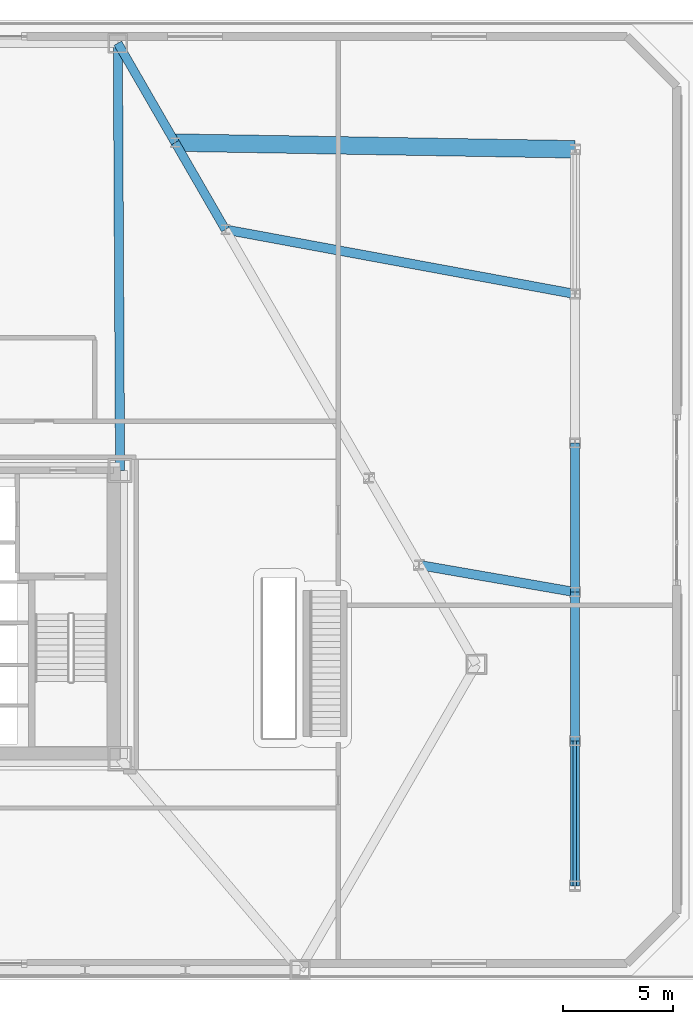
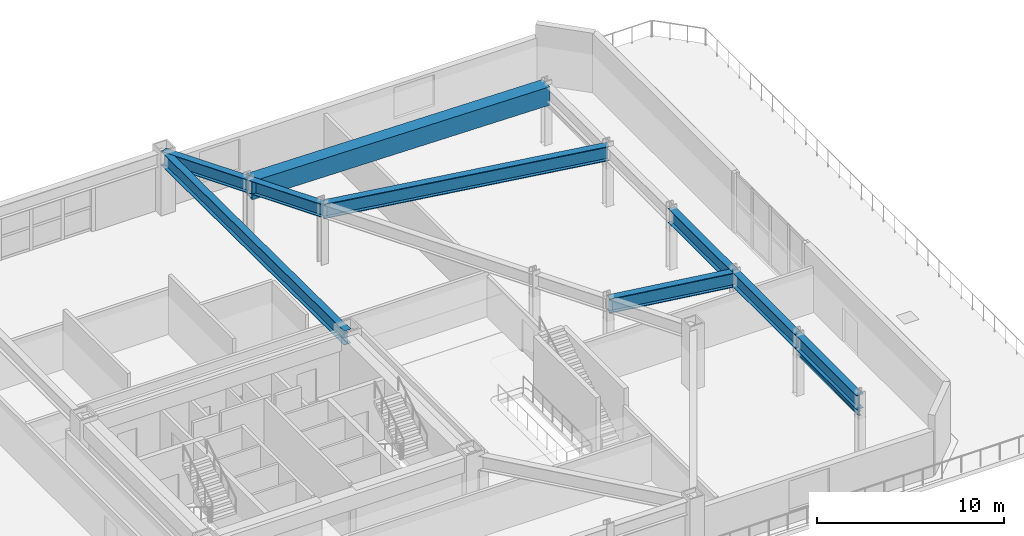
# One storey, part 5 of 16: 10 beams.
"""IFC4 building model written with IfcOpenShell, lengths in metres."""

from ifc_helpers import new_model, si_unit, direction, frame, origin, origin_2d, place, context, subcontext, project, spatial, hollow_rectangle, i_section, extrude, material, material_profile, profile_set, type_object, element, save


model = new_model("IFC4")

# Units and contexts
model_context = context("Model", 3, precision=1e-05, world=origin(), true_north=direction((0.0, 1.0)))
body_context = subcontext(model_context, "Body", "Model", "MODEL_VIEW")
ifc_project = project(units=[si_unit("LENGTHUNIT", "METRE"), si_unit("AREAUNIT", "SQUARE_METRE"), si_unit("VOLUMEUNIT", "CUBIC_METRE"), si_unit("PLANEANGLEUNIT", "RADIAN"), si_unit("MASSUNIT", "GRAM", prefix="KILO")], contexts=[model_context])

# Site, building, storey
site_placement = place(None, origin())
site = spatial("IfcSite", under=ifc_project, at=site_placement, CompositionType="ELEMENT")
building_placement = place(site_placement, origin())
building = spatial("IfcBuilding", under=site, at=building_placement, Name="Oramaril Tower", CompositionType="ELEMENT")
storey_placement = place(building_placement, frame((0.0, 0.0, 9.89990234375)))
storey = spatial("IfcBuildingStorey", under=building, at=storey_placement, Name="L02", CompositionType="ELEMENT", Elevation=9.89990234375)

# Beams
ifc_material_1 = material(Name="Steel ASTM A572 Gr 50", Category="steel")
ifc_material_profile_1 = material_profile(ifc_material_1, i_section(OverallWidth=0.1650390625, OverallDepth=0.31005859375, WebThickness=0.005859375, FlangeThickness=0.009765625, at=origin_2d()), Name="W12X26")
ifc_profile_set_1 = profile_set([ifc_material_profile_1], Name="Steel ASTM A572 Gr 50")
beam_type_1 = type_object("IfcBeamType", Name="BT-LN1", PredefinedType="LINTEL", material=ifc_profile_set_1)
beam_1_placement = place(storey_placement, frame((66.39990234375, 5.199951171875, 2.695068359375), z_axis=(0.0, 1.0, 0.0), x_axis=(-1.0, 0.0, 0.0)))
element("IfcBeam", 1, at=beam_1_placement, inside=storey, type_object=beam_type_1, Name="L02 Podium Opening Lintel Beam", PredefinedType="LINTEL", context=body_context, shape_type="SweptSolid", body=[
    extrude(i_section(OverallWidth=0.1650390625, OverallDepth=0.31005859375, WebThickness=0.005859375, FlangeThickness=0.009765625, at=origin_2d()), origin(), (0.0, 0.0, 1.0), 6.60009765625),
])
ifc_material_2 = material(Name="Steel ASTM A572 Gr 50", Category="steel")
ifc_material_profile_2 = material_profile(ifc_material_2, i_section(OverallWidth=0.424072265625, OverallDepth=0.947021484375, WebThickness=0.02392578125, FlangeThickness=0.042724609375, at=origin_2d()), Name="W36X302")
ifc_profile_set_2 = profile_set([ifc_material_profile_2], Name="Steel ASTM A572 Gr 50")
beam_type_2 = type_object("IfcBeamType", Name="BT-PG1", PredefinedType="BEAM", material=ifc_profile_set_2)
beam_2_placement = place(storey_placement, frame((66.39990234375, 18.60009765625, 3.446533203125), z_axis=(-0.985251471122, 0.171112649011, 0.0), x_axis=(-0.171112649011, -0.985251471122, 0.0)))
element("IfcBeam", 2, at=beam_2_placement, inside=storey, type_object=beam_type_2, Name="L02 Podium Clear-Span Girder 09", PredefinedType="BEAM", context=body_context, shape_type="SweptSolid", body=[
    extrude(i_section(OverallWidth=0.424072265625, OverallDepth=0.947021484375, WebThickness=0.02392578125, FlangeThickness=0.042724609375, at=origin_2d()), origin(), (0.0, 0.0, 1.0), 7.2138671875),
])
beam_3_placement = place(storey_placement, frame((66.39990234375, 32.199951171875, 3.446533203125), z_axis=(-0.983441112449, 0.181227973404, 0.0), x_axis=(-0.181227973404, -0.983441112449, 0.0)))
element("IfcBeam", 3, at=beam_3_placement, inside=storey, type_object=beam_type_2, Name="L02 Podium Clear-Span Girder 11", PredefinedType="BEAM", context=body_context, shape_type="SweptSolid", body=[
    extrude(i_section(OverallWidth=0.424072265625, OverallDepth=0.947021484375, WebThickness=0.02392578125, FlangeThickness=0.042724609375, at=origin_2d()), origin(), (0.0, 0.0, 1.0), 16.211669921875),
])
ifc_material_3 = material(Name="Steel ASTM A572 Gr 50", Category="steel")
ifc_material_profile_3 = material_profile(ifc_material_3, i_section(OverallWidth=0.4189453125, OverallDepth=0.927001953125, WebThickness=0.019287109375, FlangeThickness=0.031982421875, at=origin_2d()), Name="W36X231")
ifc_profile_set_3 = profile_set([ifc_material_profile_3], Name="Steel ASTM A572 Gr 50")
beam_type_3 = type_object("IfcBeamType", Name="BT-PG2", PredefinedType="BEAM", material=ifc_profile_set_3)
beam_4_placement = place(storey_placement, frame((45.64990234375, 24.14990234375, 3.45654296875), z_axis=(-0.005223463456, 0.999986357622, 0.0), x_axis=(-0.999986357622, -0.005223463456, 0.0)))
element("IfcBeam", 4, at=beam_4_placement, inside=storey, type_object=beam_type_3, Name="L02 Radial Primary Beam RB-05", PredefinedType="BEAM", context=body_context, shape_type="SweptSolid", body=[
    extrude(i_section(OverallWidth=0.4189453125, OverallDepth=0.927001953125, WebThickness=0.019287109375, FlangeThickness=0.031982421875, at=origin_2d()), origin(), (0.0, 0.0, 1.0), 19.490234375),
])
beam_5_placement = place(storey_placement, frame((66.39990234375, 5.199951171875, 3.45654296875), z_axis=(0.0, 1.0, 0.0), x_axis=(-1.0, 0.0, 0.0)))
element("IfcBeam", 5, at=beam_5_placement, inside=storey, type_object=beam_type_3, Name="L02 Podium Perimeter Girder 07", PredefinedType="BEAM", context=body_context, shape_type="SweptSolid", body=[
    extrude(i_section(OverallWidth=0.4189453125, OverallDepth=0.927001953125, WebThickness=0.019287109375, FlangeThickness=0.031982421875, at=origin_2d()), origin(), (0.0, 0.0, 1.0), 6.60009765625),
])
beam_6_placement = place(storey_placement, frame((66.39990234375, 11.800048828125, 3.45654296875), z_axis=(0.0, 1.0, 0.0), x_axis=(-1.0, 0.0, 0.0)))
element("IfcBeam", 6, at=beam_6_placement, inside=storey, type_object=beam_type_3, Name="L02 Podium Perimeter Girder 08", PredefinedType="BEAM", context=body_context, shape_type="SweptSolid", body=[
    extrude(i_section(OverallWidth=0.4189453125, OverallDepth=0.927001953125, WebThickness=0.019287109375, FlangeThickness=0.031982421875, at=origin_2d()), origin(), (0.0, 0.0, 1.0), 6.800048828125),
])
beam_7_placement = place(storey_placement, frame((66.39990234375, 18.60009765625, 3.45654296875), z_axis=(0.0, 1.0, 0.0), x_axis=(-1.0, 0.0, 0.0)))
element("IfcBeam", 7, at=beam_7_placement, inside=storey, type_object=beam_type_3, Name="L02 Podium Perimeter Girder 09", PredefinedType="BEAM", context=body_context, shape_type="SweptSolid", body=[
    extrude(i_section(OverallWidth=0.4189453125, OverallDepth=0.927001953125, WebThickness=0.019287109375, FlangeThickness=0.031982421875, at=origin_2d()), origin(), (0.0, 0.0, 1.0), 6.7998046875),
])
ifc_material_4 = material(Name="Steel ASTM A572 Gr 50", Category="steel")
ifc_material_profile_4 = material_profile(ifc_material_4, i_section(OverallWidth=0.40087890625, OverallDepth=0.85595703125, WebThickness=0.018310546875, FlangeThickness=0.029296875, at=origin_2d()), Name="W33X201")
ifc_profile_set_4 = profile_set([ifc_material_profile_4], Name="Steel ASTM A572 Gr 50")
beam_type_4 = type_object("IfcBeamType", Name="BT-SP1", PredefinedType="SPANDREL", material=ifc_profile_set_4)
beam_8_placement = place(storey_placement, frame((50.456787109375, 35.137939453125, 3.4921875), z_axis=(-0.499996140324, 0.866027632158, 0.0), x_axis=(-0.866027632158, -0.499996140324, 0.0)))
element("IfcBeam", 8, at=beam_8_placement, inside=storey, type_object=beam_type_4, Name="L02 Perimeter Spandrel 11", PredefinedType="SPANDREL", context=body_context, shape_type="SweptSolid", body=[
    extrude(i_section(OverallWidth=0.40087890625, OverallDepth=0.85595703125, WebThickness=0.018310546875, FlangeThickness=0.029296875, at=origin_2d()), origin(), (0.0, 0.0, 1.0), 4.58154296875),
])
beam_9_placement = place(storey_placement, frame((48.166015625, 39.105712890625, 3.4921875), z_axis=(-0.500015765613, 0.866016301312, 0.0), x_axis=(-0.866016301312, -0.500015765613, 0.0)))
element("IfcBeam", 9, at=beam_9_placement, inside=storey, type_object=beam_type_4, Name="L02 Perimeter Spandrel 12", PredefinedType="SPANDREL", context=body_context, shape_type="SweptSolid", body=[
    extrude(i_section(OverallWidth=0.40087890625, OverallDepth=0.85595703125, WebThickness=0.018310546875, FlangeThickness=0.029296875, at=origin_2d()), origin(), (0.0, 0.0, 1.0), 5.235595703125),
])
ifc_material_5 = material(Name="Steel ASTM A572 Gr 50", Category="steel")
ifc_material_profile_5 = material_profile(ifc_material_5, hollow_rectangle(XDim=0.800048828125, YDim=1.199951171875, WallThickness=0.074951171875, at=origin_2d()), Name="BOX1200X800X75")
ifc_profile_set_5 = profile_set([ifc_material_profile_5], Name="Steel ASTM A572 Gr 50")
beam_type_5 = type_object("IfcBeamType", Name="BT-TT1", PredefinedType="BEAM", material=ifc_profile_set_5)
beam_10_placement = place(storey_placement, frame((66.39990234375, 38.800048828125, 3.320068359375), z_axis=(-0.999859521862, 0.016761161682, 0.0), x_axis=(-0.016761161682, -0.999859521862, 0.0)))
element("IfcBeam", 10, at=beam_10_placement, inside=storey, type_object=beam_type_5, Name="L02 Podium Clear-Span Girder 12", PredefinedType="BEAM", context=body_context, shape_type="SweptSolid", body=[
    extrude(hollow_rectangle(XDim=0.800048828125, YDim=1.199951171875, WallThickness=0.074951171875, at=origin_2d()), origin(), (0.0, 0.0, 1.0), 18.236328125),
])

save(model, "model.ifc")
